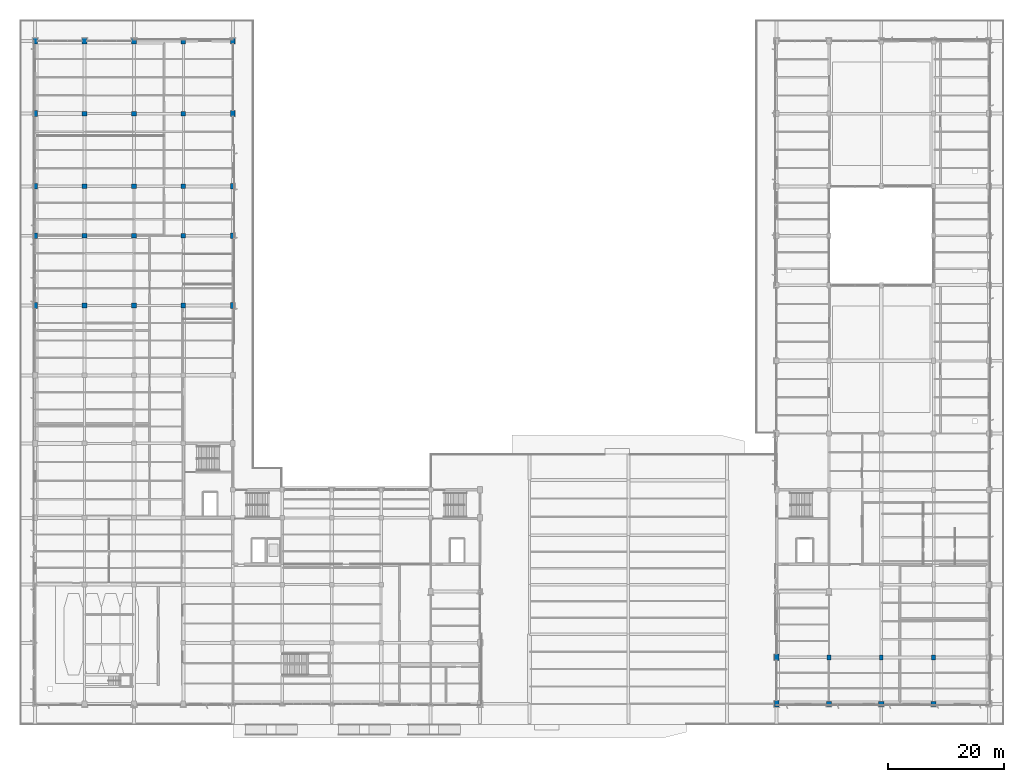
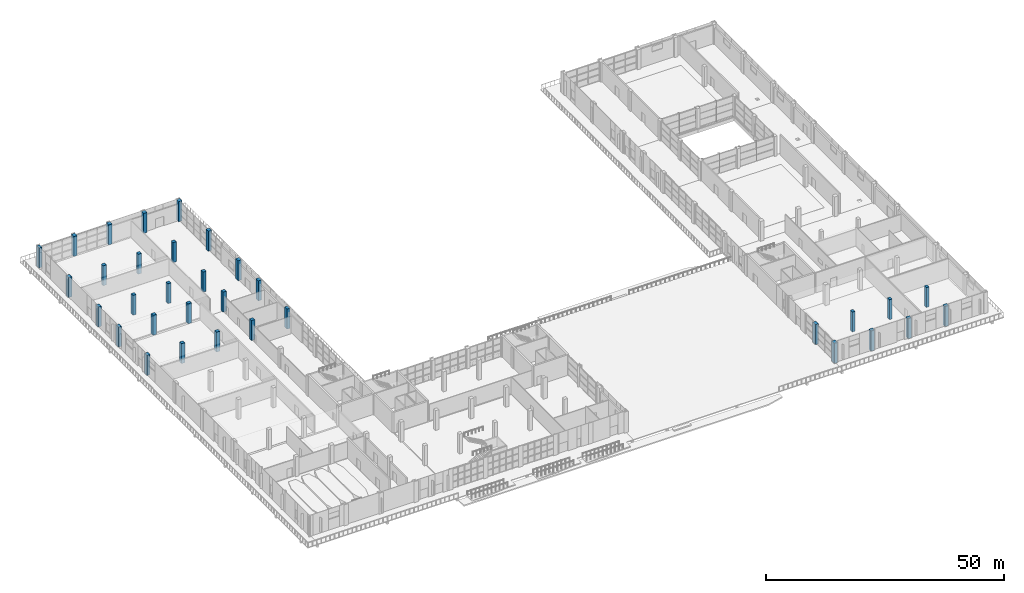
# One storey, part 5 of 90: 33 columns.
"""IFC4 building model written with IfcOpenShell, lengths in metres."""

from ifc_helpers import new_model, si_unit, direction, frame, origin, origin_2d, place, context, subcontext, project, spatial, rectangle, extrude, material, material_profile, profile_set, type_object, element, save


model = new_model("IFC4")

# Units and contexts
model_context = context("Model", 3, precision=1e-05, world=origin(), true_north=direction((0.0, 1.0)))
body_context = subcontext(model_context, "Body", "Model", "MODEL_VIEW")
ifc_project = project(units=[si_unit("LENGTHUNIT", "METRE"), si_unit("AREAUNIT", "SQUARE_METRE"), si_unit("VOLUMEUNIT", "CUBIC_METRE"), si_unit("PLANEANGLEUNIT", "RADIAN"), si_unit("MASSUNIT", "GRAM", prefix="KILO")], contexts=[model_context])

# Site, building, storey
site_placement = place(None, origin())
site = spatial("IfcSite", under=ifc_project, at=site_placement, CompositionType="ELEMENT")
building_placement = place(site_placement, origin())
building = spatial("IfcBuilding", under=site, at=building_placement, Name="Solvikara Media Centre", CompositionType="ELEMENT")
storey_placement = place(building_placement, origin())
storey = spatial("IfcBuildingStorey", under=building, at=storey_placement, Name="L00", CompositionType="ELEMENT", Elevation=0.0)

# Columns
ifc_material = material(Name="Concrete fc' 45 MPa (C45/55)", Category="concrete")
ifc_material_profile_1 = material_profile(ifc_material, rectangle(XDim=0.800048828125, YDim=0.800048828125, at=origin_2d()), Name="RC 800x800")
ifc_profile_set_1 = profile_set([ifc_material_profile_1], Name="Concrete fc' 45 MPa (C45/55)")
column_type_1 = type_object("IfcColumnType", Name="CL-05", PredefinedType="COLUMN", material=ifc_profile_set_1)
for number, where, z_axis, x_axis, name in (
    (1, (8.5, 68.5, 0.0), (0.0, 0.0, 1.0), (1.0, 0.0, 0.0), "C-L00-0085-0685"),
    (2, (8.5, 80.5, 0.0), (0.0, 0.0, 1.0), (1.0, 0.0, 0.0), "C-L00-0085-0805"),
    (3, (8.5, 89.0, 0.0), (0.0, 0.0, 1.0), (1.0, 0.0, 0.0), "C-L00-0085-0890"),
    (4, (8.5, 101.5, 0.0), (0.0, 0.0, 1.0), (1.0, 0.0, 0.0), "C-L00-0085-1015"),
    (5, (17.0, 68.5, 0.0), (0.0, 0.0, 1.0), (1.0, 0.0, 0.0), "C-L00-0170-0685"),
    (6, (17.0, 80.5, 0.0), (0.0, 0.0, 1.0), (1.0, 0.0, 0.0), "C-L00-0170-0805"),
    (7, (17.0, 89.0, 0.0), (0.0, 0.0, 1.0), (1.0, 0.0, 0.0), "C-L00-0170-0890"),
    (8, (17.0, 101.5, 0.0), (0.0, 0.0, 1.0), (1.0, 0.0, 0.0), "C-L00-0170-1015"),
    (9, (25.5, 68.5, 0.0), (0.0, 0.0, 1.0), (1.0, 0.0, 0.0), "C-L00-0255-0685"),
    (10, (25.5, 80.5, 0.0), (0.0, 0.0, 1.0), (1.0, 0.0, 0.0), "C-L00-0255-0805"),
    (11, (25.5, 89.0, 0.0), (0.0, 0.0, 1.0), (1.0, 0.0, 0.0), "C-L00-0255-0890"),
    (12, (25.5, 101.5, 0.0), (0.0, 0.0, 1.0), (1.0, 0.0, 0.0), "C-L00-0255-1015"),
):
    element("IfcColumn", number, at=place(storey_placement, frame(where, z_axis=z_axis, x_axis=x_axis)), inside=storey, type_object=column_type_1, Name=name, PredefinedType="COLUMN", context=body_context, shape_type="SweptSolid", body=[
        extrude(rectangle(XDim=0.800048828125, YDim=0.800048828125, at=origin_2d()), origin(), (0.0, 0.0, 1.0), 5.139892578125),
    ])
ifc_material_profile_2 = material_profile(ifc_material, rectangle(XDim=0.64990234375, YDim=0.85009765625, at=origin_2d()), Name="RC 650x850")
ifc_profile_set_2 = profile_set([ifc_material_profile_2], Name="Concrete fc' 45 MPa (C45/55)")
column_type_2 = type_object("IfcColumnType", Name="CL-11", PredefinedType="COLUMN", material=ifc_profile_set_2)
for number, where, z_axis, x_axis, name in (
    (13, (136.5, 8.0, 0.0), (0.0, 0.0, 1.0), (1.0, 0.0, 0.0), "C-L00-1365-0080"),
    (14, (145.5, 8.0, 0.0), (0.0, 0.0, 1.0), (1.0, 0.0, 0.0), "C-L00-1455-0080"),
    (15, (154.5, 8.0, 0.0), (0.0, 0.0, 1.0), (1.0, 0.0, 0.0), "C-L00-1545-0080"),
):
    element("IfcColumn", number, at=place(storey_placement, frame(where, z_axis=z_axis, x_axis=x_axis)), inside=storey, type_object=column_type_2, Name=name, PredefinedType="COLUMN", context=body_context, shape_type="SweptSolid", body=[
        extrude(rectangle(XDim=0.64990234375, YDim=0.85009765625, at=origin_2d()), origin(), (0.0, 0.0, 1.0), 5.139892578125),
    ])
ifc_material_profile_3 = material_profile(ifc_material, rectangle(XDim=0.800048828125, YDim=1.0, at=origin_2d()), Name="RC 800x1000")
ifc_profile_set_3 = profile_set([ifc_material_profile_3], Name="Concrete fc' 45 MPa (C45/55)")
column_type_3 = type_object("IfcColumnType", Name="CL-16", PredefinedType="COLUMN", material=ifc_profile_set_3)
for number, where, z_axis, x_axis, name in (
    (16, (0.0, 68.5, 0.0), (0.0, 0.0, 1.0), (1.0, 0.0, 0.0), "C-L00-0000-0685"),
    (17, (0.0, 80.5, 0.0), (0.0, 0.0, 1.0), (1.0, 0.0, 0.0), "C-L00-0000-0805"),
    (18, (0.0, 89.0, 0.0), (0.0, 0.0, 1.0), (1.0, 0.0, 0.0), "C-L00-0000-0890"),
    (19, (0.0, 101.5, 0.0), (0.0, 0.0, 1.0), (1.0, 0.0, 0.0), "C-L00-0000-1015"),
    (20, (0.0, 114.0, 0.0), (0.0, 0.0, 1.0), (1.0, 0.0, 0.0), "C-L00-0000-1140"),
    (21, (8.5, 114.0, 0.0), (0.0, 0.0, 1.0), (1.0, 0.0, 0.0), "C-L00-0085-1140"),
    (22, (17.0, 114.0, 0.0), (0.0, 0.0, 1.0), (1.0, 0.0, 0.0), "C-L00-0170-1140"),
    (23, (25.5, 114.0, 0.0), (0.0, 0.0, 1.0), (1.0, 0.0, 0.0), "C-L00-0255-1140"),
    (24, (34.0, 68.5, 0.0), (0.0, 0.0, 1.0), (1.0, 0.0, 0.0), "C-L00-0340-0685"),
    (25, (34.0, 80.5, 0.0), (0.0, 0.0, 1.0), (1.0, 0.0, 0.0), "C-L00-0340-0805"),
    (26, (34.0, 89.0, 0.0), (0.0, 0.0, 1.0), (1.0, 0.0, 0.0), "C-L00-0340-0890"),
    (27, (34.0, 101.5, 0.0), (0.0, 0.0, 1.0), (1.0, 0.0, 0.0), "C-L00-0340-1015"),
    (28, (34.0, 114.0, 0.0), (0.0, 0.0, 1.0), (1.0, 0.0, 0.0), "C-L00-0340-1140"),
):
    element("IfcColumn", number, at=place(storey_placement, frame(where, z_axis=z_axis, x_axis=x_axis)), inside=storey, type_object=column_type_3, Name=name, PredefinedType="COLUMN", context=body_context, shape_type="SweptSolid", body=[
        extrude(rectangle(XDim=0.800048828125, YDim=1.0, at=origin_2d()), origin(), (0.0, 0.0, 1.0), 5.139892578125),
    ])
ifc_material_profile_4 = material_profile(ifc_material, rectangle(XDim=0.800048828125, YDim=1.10009765625, at=origin_2d()), Name="RC 800x1100")
ifc_profile_set_4 = profile_set([ifc_material_profile_4], Name="Concrete fc' 45 MPa (C45/55)")
column_type_4 = type_object("IfcColumnType", Name="CL-17", PredefinedType="COLUMN", material=ifc_profile_set_4)
for number, where, z_axis, x_axis, name in (
    (29, (127.5, 0.0, 0.0), (0.0, 0.0, 1.0), (1.0, 0.0, 0.0), "C-L00-1275-0000"),
    (30, (127.5, 8.0, 0.0), (0.0, 0.0, 1.0), (1.0, 0.0, 0.0), "C-L00-1275-0080"),
):
    element("IfcColumn", number, at=place(storey_placement, frame(where, z_axis=z_axis, x_axis=x_axis)), inside=storey, type_object=column_type_4, Name=name, PredefinedType="COLUMN", context=body_context, shape_type="SweptSolid", body=[
        extrude(rectangle(XDim=0.800048828125, YDim=1.10009765625, at=origin_2d()), origin(), (0.0, 0.0, 1.0), 5.139892578125),
    ])
ifc_material_profile_5 = material_profile(ifc_material, rectangle(XDim=0.89990234375, YDim=0.89990234375, at=origin_2d()), Name="RC 900x900")
ifc_profile_set_5 = profile_set([ifc_material_profile_5], Name="Concrete fc' 45 MPa (C45/55)")
column_type_5 = type_object("IfcColumnType", Name="CL-18", PredefinedType="COLUMN", material=ifc_profile_set_5)
for number, where, z_axis, x_axis, name in (
    (31, (136.5, 0.0, 0.0), (0.0, 0.0, 1.0), (1.0, 0.0, 0.0), "C-L00-1365-0000"),
    (32, (145.5, 0.0, 0.0), (0.0, 0.0, 1.0), (1.0, 0.0, 0.0), "C-L00-1455-0000"),
    (33, (154.5, 0.0, 0.0), (0.0, 0.0, 1.0), (1.0, 0.0, 0.0), "C-L00-1545-0000"),
):
    element("IfcColumn", number, at=place(storey_placement, frame(where, z_axis=z_axis, x_axis=x_axis)), inside=storey, type_object=column_type_5, Name=name, PredefinedType="COLUMN", context=body_context, shape_type="SweptSolid", body=[
        extrude(rectangle(XDim=0.89990234375, YDim=0.89990234375, at=origin_2d()), origin(), (0.0, 0.0, 1.0), 5.139892578125),
    ])

save(model, "model.ifc")
